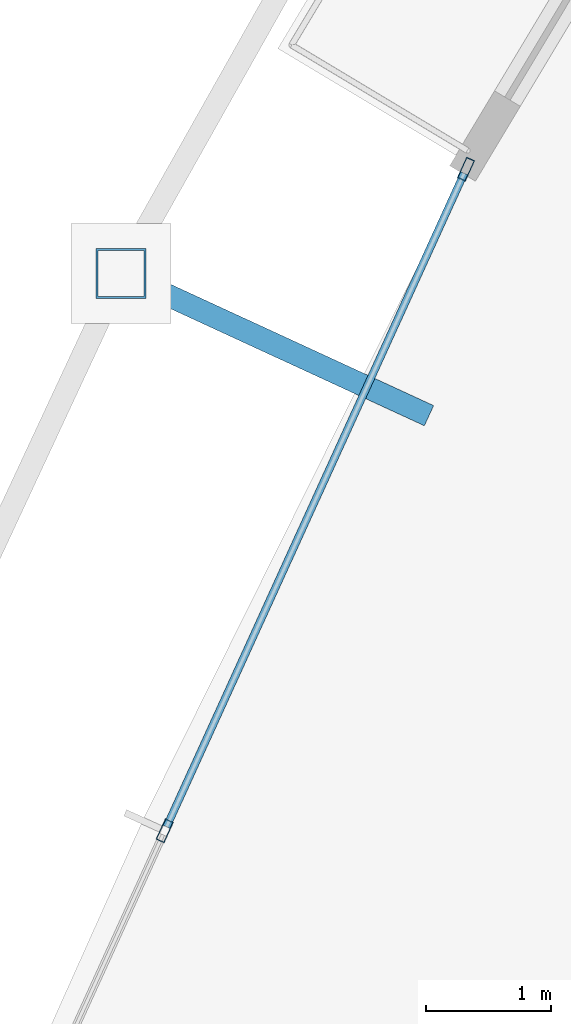
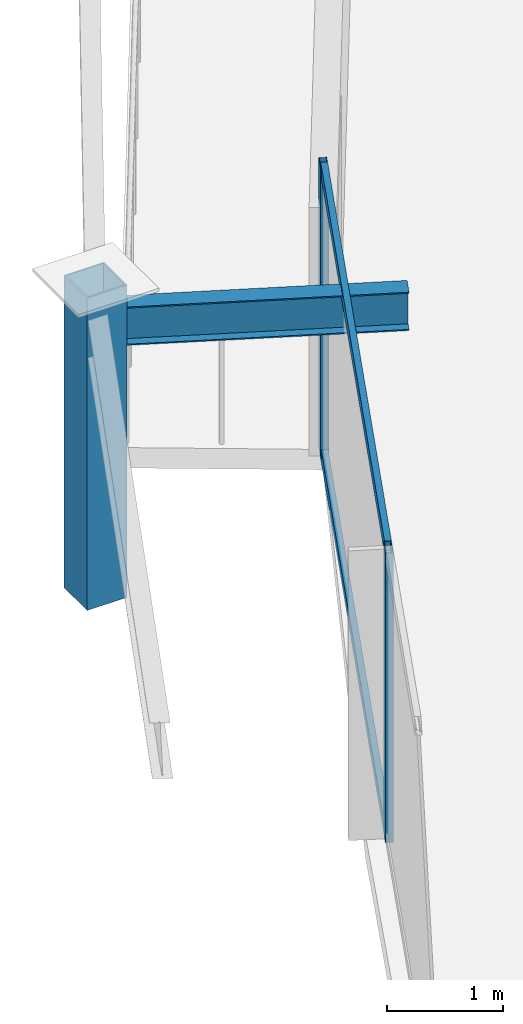
# One storey, part 9 of 31: 5 members, 1 beam, 1 element without a shape of its own.
"""IFC4 building model written with IfcOpenShell, lengths in metres."""

from ifc_helpers import new_model, si_unit, direction, frame, origin, origin_2d, place, context, subcontext, project, spatial, hollow_rectangle, i_section, extrude, material, layer, layer_set, material_profile, profile_set, type_object, element, aggregate, save


model = new_model("IFC4")

# Units and contexts
model_context = context("Model", 3, precision=1e-05, world=origin(), true_north=direction((0.0, 1.0)))
body_context = subcontext(model_context, "Body", "Model", "MODEL_VIEW")
ifc_project = project(units=[si_unit("LENGTHUNIT", "METRE"), si_unit("AREAUNIT", "SQUARE_METRE"), si_unit("VOLUMEUNIT", "CUBIC_METRE"), si_unit("PLANEANGLEUNIT", "RADIAN"), si_unit("MASSUNIT", "GRAM", prefix="KILO")], contexts=[model_context])

# Site, building, storey
site_placement = place(None, origin())
site = spatial("IfcSite", under=ifc_project, at=site_placement, CompositionType="ELEMENT")
building_placement = place(site_placement, origin())
building = spatial("IfcBuilding", under=site, at=building_placement, Name="Orvanel Arch Residences", CompositionType="ELEMENT")
storey_placement = place(building_placement, frame((0.0, 0.0, 113.300048828125)))
storey = spatial("IfcBuildingStorey", under=building, at=storey_placement, Name="L31", CompositionType="ELEMENT", Elevation=113.300048828125)

# Curtain wall, members
ifc_material_1 = material(Name="Bronze-anodised aluminium AA6063-T6", Category="aluminium")
ifc_layer = layer(ifc_material_1, 0.179931640625)
ifc_layer_set = layer_set([ifc_layer], Name="Bronze-anodised aluminium AA6063-T6")
curtain_wall_type = type_object("IfcCurtainWallType", Name="CW3-MID-SYS", PredefinedType="NOTDEFINED", material=ifc_layer_set)
curtain_wall_placement = place(storey_placement, origin())
curtain_wall = element("IfcCurtainWall", 1, at=curtain_wall_placement, inside=storey, type_object=curtain_wall_type, Name="L31 CW3-MID-SYS Unitised Curtain Wall", PredefinedType="NOTDEFINED")
ifc_material_profile_1 = material_profile(ifc_material_1, hollow_rectangle(XDim=0.070068359375, YDim=0.179931640625, WallThickness=0.00439453125, at=origin_2d()), Name="ALU180x70x4.5")
ifc_profile_set_1 = profile_set([ifc_material_profile_1], Name="Bronze-anodised aluminium AA6063-T6")
member_type_1 = type_object("IfcMemberType", Name="MUL-180x70", PredefinedType="MULLION", material=ifc_profile_set_1)
member_1_placement = place(storey_placement, frame((14.030517578125, 24.59521484375, 0.0), z_axis=(0.0, 0.0, 1.0), x_axis=(0.910112556864, -0.414361115258, 0.0)))
member_1 = element("IfcMember", 2, at=member_1_placement, type_object=member_type_1, Name="CW-S3 mullion 1", PredefinedType="MULLION", context=body_context, shape_type="SweptSolid", body=[
    extrude(hollow_rectangle(XDim=0.070068359375, YDim=0.179931640625, WallThickness=0.00439453125, at=origin_2d()), origin(), (0.0, 0.0, 1.0), 3.06005859375),
])
member_2_placement = place(storey_placement, frame((11.62158203125, 19.304443359375, 0.0), z_axis=(0.0, 0.0, 1.0), x_axis=(0.910112556864, -0.414361115258, 0.0)))
member_2 = element("IfcMember", 3, at=member_2_placement, type_object=member_type_1, Name="CW-S3 mullion 2", PredefinedType="MULLION", context=body_context, shape_type="SweptSolid", body=[
    extrude(hollow_rectangle(XDim=0.070068359375, YDim=0.179931640625, WallThickness=0.00439453125, at=origin_2d()), origin(), (0.0, 0.0, 1.0), 3.06005859375),
])

# Beam
ifc_material_2 = material(Name="Structural steel AS/NZS 3679.1 Grade 300 (300 MPa)", Category="steel")
ifc_material_profile_2 = material_profile(ifc_material_2, i_section(OverallWidth=0.177978515625, OverallDepth=0.406005859375, WebThickness=0.0078125, FlangeThickness=0.0126953125, at=origin_2d()), Name="410UB59.7")
ifc_profile_set_2 = profile_set([ifc_material_profile_2], Name="Structural steel AS/NZS 3679.1 Grade 300 (300 MPa)")
beam_type = type_object("IfcBeamType", Name="OB-410UB-EXT", PredefinedType="SPANDREL", material=ifc_profile_set_2)
beam_placement = place(storey_placement, frame((13.735107421875, 22.6240234375, 2.85693359375), z_axis=(-0.908067275628, 0.418824334218, 0.0), x_axis=(-0.418824334218, -0.908067275628, 0.0)))
element("IfcBeam", 4, at=beam_placement, inside=storey, type_object=beam_type, Name="L31 Outer Frame Radial Tie Beam 03", PredefinedType="SPANDREL", context=body_context, shape_type="SweptSolid", body=[
    extrude(i_section(OverallWidth=0.177978515625, OverallDepth=0.406005859375, WebThickness=0.0078125, FlangeThickness=0.0126953125, at=origin_2d()), origin(), (0.0, 0.0, 1.0), 2.714599609375),
])

# Member
ifc_material_3 = material(Name="Structural steel AS/NZS 1163 C450L0 (Grade 450)", Category="steel")
ifc_material_profile_3 = material_profile(ifc_material_3, hollow_rectangle(XDim=0.39990234375, YDim=0.39990234375, WallThickness=0.01611328125, at=origin_2d()), Name="SHS400x400x16")
ifc_profile_set_3 = profile_set([ifc_material_profile_3], Name="Structural steel AS/NZS 1163 C450L0 (Grade 450)")
member_type_2 = type_object("IfcMemberType", Name="ST-400SHS-EXT", PredefinedType="STRUT", material=ifc_profile_set_3)
member_3_placement = place(storey_placement, frame((11.27001953125, 23.760986328125, 0.0), z_axis=(0.0, 0.0, 1.0), x_axis=(1.0, 0.0, 0.0)))
element("IfcMember", 5, at=member_3_placement, inside=storey, type_object=member_type_2, Name="L31 Outer Perimeter Frame Post 03", PredefinedType="STRUT", context=body_context, shape_type="SweptSolid", body=[
    extrude(hollow_rectangle(XDim=0.39990234375, YDim=0.39990234375, WallThickness=0.01611328125, at=origin_2d()), origin(), (0.0, 0.0, 1.0), 3.300048828125),
])

ifc_material_profile_4 = material_profile(ifc_material_1, hollow_rectangle(XDim=0.06005859375, YDim=0.135009765625, WallThickness=0.00390625, at=origin_2d()), Name="ALU135x60x4")
ifc_profile_set_4 = profile_set([ifc_material_profile_4], Name="Bronze-anodised aluminium AA6063-T6")
member_type_3 = type_object("IfcMemberType", Name="TRN-135x60", PredefinedType="USERDEFINED", material=ifc_profile_set_4)
member_4_placement = place(storey_placement, frame((14.01611328125, 24.563232421875, 0.030029296875), z_axis=(-0.414372943031, -0.910107171757, 0.0), x_axis=(0.910107171757, -0.414372943031, 0.0)))
member_4 = element("IfcMember", 6, at=member_4_placement, type_object=member_type_3, Name="CW-S3 transom 1.1", ObjectType="TRANSOM", PredefinedType="USERDEFINED", context=body_context, shape_type="SweptSolid", body=[
    extrude(hollow_rectangle(XDim=0.06005859375, YDim=0.135009765625, WallThickness=0.00390625, at=origin_2d()), origin(), (0.0, 0.0, 1.0), 5.743408203125),
])

member_5_placement = place(storey_placement, frame((14.01611328125, 24.563232421875, 3.030029296875), z_axis=(-0.414372943031, -0.910107171757, 0.0), x_axis=(0.910107171757, -0.414372943031, 0.0)))
member_5 = element("IfcMember", 7, at=member_5_placement, type_object=member_type_3, Name="CW-S3 transom 1.2", ObjectType="TRANSOM", PredefinedType="USERDEFINED", context=body_context, shape_type="SweptSolid", body=[
    extrude(hollow_rectangle(XDim=0.06005859375, YDim=0.135009765625, WallThickness=0.00390625, at=origin_2d()), origin(), (0.0, 0.0, 1.0), 5.743408203125),
])

aggregate(curtain_wall, [member_1, member_2, member_4, member_5])

save(model, "model.ifc")
